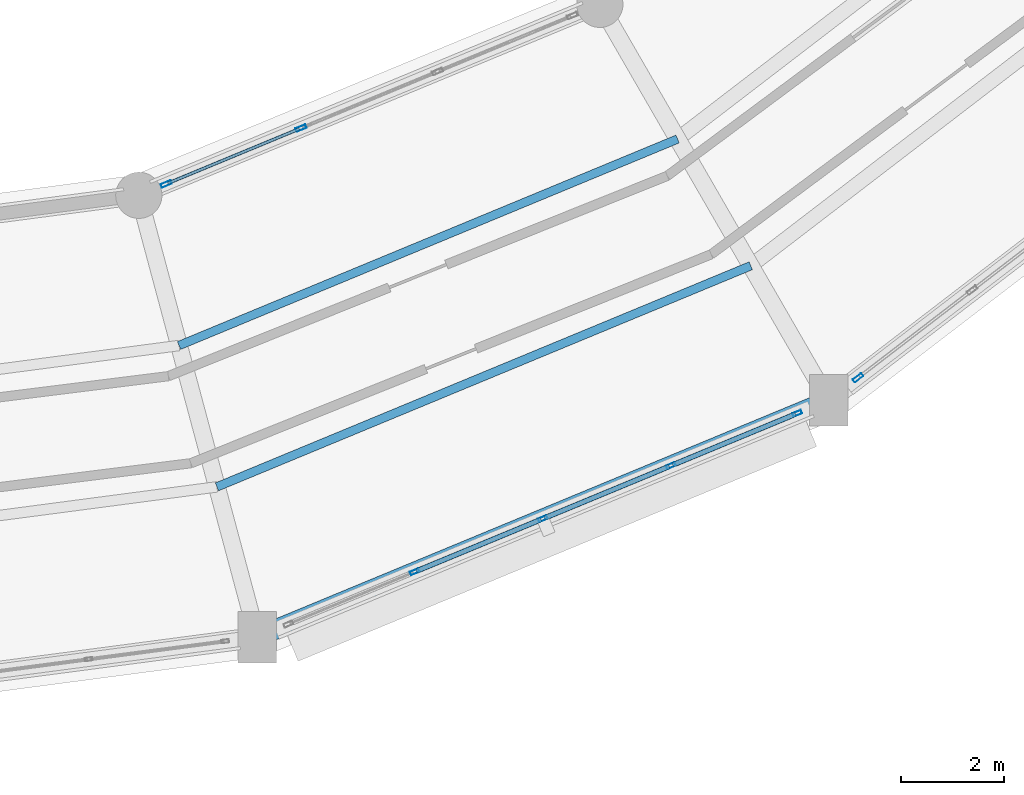
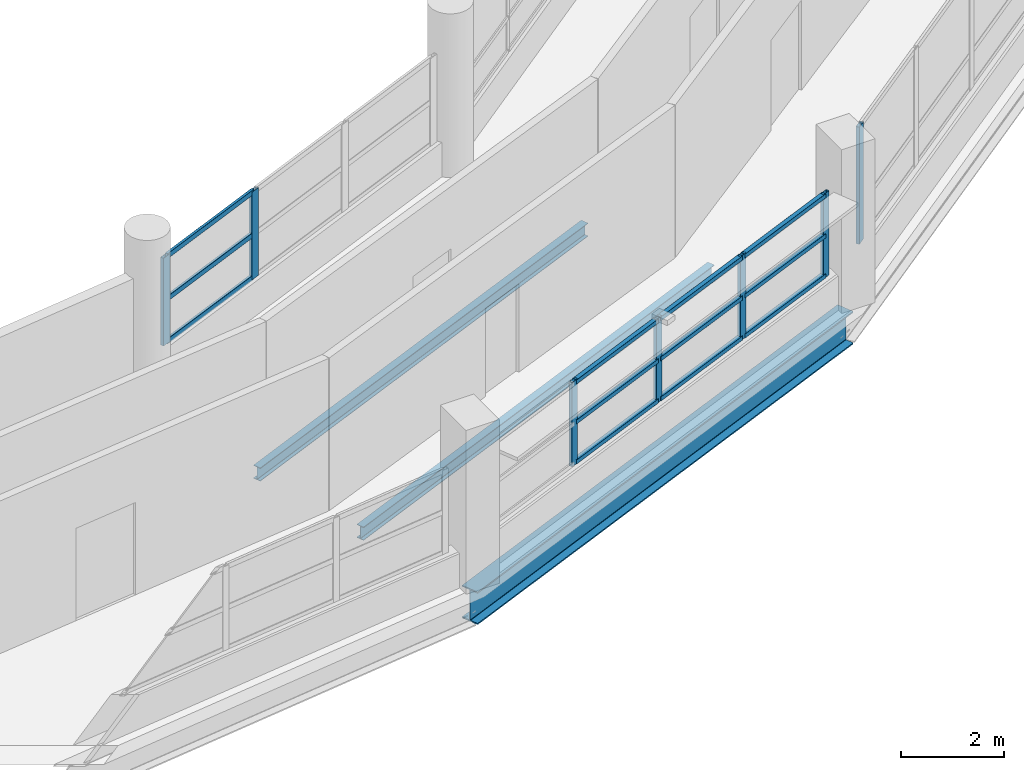
# One storey, part 25 of 88: 19 members, 3 beams, 3 elements without a shape of their own.
"""IFC4 building model written with IfcOpenShell, lengths in metres."""

from ifc_helpers import new_model, si_unit, direction, frame, origin, origin_2d, place, context, subcontext, project, spatial, hollow_rectangle, i_section, extrude, material, layer, layer_set, material_profile, profile_set, type_object, element, aggregate, save


model = new_model("IFC4")

# Units and contexts
model_context = context("Model", 3, precision=1e-05, world=origin(), true_north=direction((0.0, 1.0)))
body_context = subcontext(model_context, "Body", "Model", "MODEL_VIEW")
ifc_project = project(units=[si_unit("LENGTHUNIT", "METRE"), si_unit("AREAUNIT", "SQUARE_METRE"), si_unit("VOLUMEUNIT", "CUBIC_METRE"), si_unit("PLANEANGLEUNIT", "RADIAN"), si_unit("MASSUNIT", "GRAM", prefix="KILO")], contexts=[model_context])

# Site, building, storey
site_placement = place(None, origin())
site = spatial("IfcSite", under=ifc_project, at=site_placement, CompositionType="ELEMENT")
building_placement = place(site_placement, origin())
building = spatial("IfcBuilding", under=site, at=building_placement, Name="Vespera Passage Community Centre", CompositionType="ELEMENT")
storey_placement = place(building_placement, frame((0.0, 0.0, 16.5)))
storey = spatial("IfcBuildingStorey", under=building, at=storey_placement, Name="L04", CompositionType="ELEMENT", Elevation=16.5)

# Beams
ifc_material_1 = material(Name="Steel ASTM A992 Grade 50", Category="steel")
ifc_material_profile_1 = material_profile(ifc_material_1, i_section(OverallWidth=0.16650390625, OverallDepth=0.3173828125, WebThickness=0.007568359375, FlangeThickness=0.01318359375, FilletRadius=0.007568359375, at=origin_2d()), Name="W12X35")
ifc_profile_set_1 = profile_set([ifc_material_profile_1], Name="Steel ASTM A992 Grade 50")
beam_type_1 = type_object("IfcBeamType", Name="BM-J-W12X35", PredefinedType="JOIST", material=ifc_profile_set_1)
beam_1_placement = place(storey_placement, frame((88.411376953125, 26.644775390625, -0.458740234375), z_axis=(0.92387968492, 0.382683064417, 0.0), x_axis=(-0.382683064417, 0.92387968492, 0.0)))
element("IfcBeam", 1, at=beam_1_placement, inside=storey, type_object=beam_type_1, Name="V4 L04 Floor Joist 19.1", PredefinedType="JOIST", context=body_context, shape_type="SweptSolid", body=[
    extrude(i_section(OverallWidth=0.16650390625, OverallDepth=0.3173828125, WebThickness=0.007568359375, FlangeThickness=0.01318359375, FilletRadius=0.007568359375, at=origin_2d()), origin(), (0.0, 0.0, 1.0), 10.5009765625),
])
beam_2_placement = place(storey_placement, frame((89.1484375, 23.893798828125, -0.458740234375), z_axis=(0.923884257257, 0.38267202562, 0.0), x_axis=(-0.38267202562, 0.923884257257, 0.0)))
element("IfcBeam", 2, at=beam_2_placement, inside=storey, type_object=beam_type_1, Name="V4 L04 Floor Joist 19.2", PredefinedType="JOIST", context=body_context, shape_type="SweptSolid", body=[
    extrude(i_section(OverallWidth=0.16650390625, OverallDepth=0.3173828125, WebThickness=0.007568359375, FlangeThickness=0.01318359375, FilletRadius=0.007568359375, at=origin_2d()), origin(), (0.0, 0.0, 1.0), 11.24462890625),
])
ifc_material_2 = material(Name="Steel ASTM A992 Grade 50", Category="steel")
ifc_material_profile_2 = material_profile(ifc_material_2, i_section(OverallWidth=0.382080078125, OverallDepth=0.779296875, WebThickness=0.01806640625, FlangeThickness=0.030029296875, FilletRadius=0.0166015625, at=origin_2d()), Name="W30X191")
ifc_profile_set_2 = profile_set([ifc_material_profile_2], Name="Steel ASTM A992 Grade 50")
beam_type_2 = type_object("IfcBeamType", Name="BM-SP-W30X191E", PredefinedType="SPANDREL", material=ifc_profile_set_2)
beam_3_placement = place(storey_placement, frame((89.931640625, 20.970703125, -0.689697265625), z_axis=(0.923877379647, 0.382688629799, 0.0), x_axis=(-0.382688629799, 0.923877379647, 0.0)))
element("IfcBeam", 3, at=beam_3_placement, inside=storey, type_object=beam_type_2, Name="V4 L04 Outer Spandrel 19", PredefinedType="SPANDREL", context=body_context, shape_type="SweptSolid", body=[
    extrude(i_section(OverallWidth=0.382080078125, OverallDepth=0.779296875, WebThickness=0.01806640625, FlangeThickness=0.030029296875, FilletRadius=0.0166015625, at=origin_2d()), origin(), (0.0, 0.0, 1.0), 12.034423828125),
])

# Curtain wall, members
ifc_material_3 = material(Name="Anodized aluminium 6063-T6", Category="aluminium")
ifc_layer_1 = layer(ifc_material_3, 0.159912109375)
ifc_layer_set_1 = layer_set([ifc_layer_1], Name="Anodized aluminium 6063-T6")
curtain_wall_type_1 = type_object("IfcCurtainWallType", Name="CW-55E", PredefinedType="NOTDEFINED", material=ifc_layer_set_1)
curtain_wall_1_placement = place(storey_placement, origin())
curtain_wall_1 = element("IfcCurtainWall", 4, at=curtain_wall_1_placement, inside=storey, type_object=curtain_wall_type_1, Name="V4 L04 Outer Ribbon Curtain Wall 19", PredefinedType="NOTDEFINED")
ifc_material_4 = material(Name="Anodized aluminium 6063-T6", Category="aluminium")
ifc_material_profile_3 = material_profile(ifc_material_4, hollow_rectangle(XDim=0.074951171875, YDim=0.179931640625, WallThickness=0.0048828125, InnerFilletRadius=0.00244140625, OuterFilletRadius=0.0048828125, at=origin_2d()), Name="ALU180X75X5")
ifc_profile_set_3 = profile_set([ifc_material_profile_3], Name="Anodized aluminium 6063-T6")
member_type_1 = type_object("IfcMemberType", Name="MB-CWM-180E", PredefinedType="MULLION", material=ifc_profile_set_3)
member_1_placement = place(storey_placement, frame((100.441650390625, 25.32421875, 0.820068359375), z_axis=(0.0, 0.0, 1.0), x_axis=(0.382682936255, -0.923879738007, 0.0)))
member_1 = element("IfcMember", 5, at=member_1_placement, type_object=member_type_1, Name="CW-55E mullion 1", PredefinedType="MULLION", context=body_context, shape_type="SweptSolid", body=[
    extrude(hollow_rectangle(XDim=0.074951171875, YDim=0.179931640625, WallThickness=0.0048828125, InnerFilletRadius=0.00244140625, OuterFilletRadius=0.0048828125, at=origin_2d()), origin(), (0.0, 0.0, 1.0), 2.005615234375),
])
member_2_placement = place(storey_placement, frame((97.983642578125, 24.30615234375, 0.820068359375), z_axis=(0.0, 0.0, 1.0), x_axis=(0.382682936255, -0.923879738007, 0.0)))
member_2 = element("IfcMember", 6, at=member_2_placement, type_object=member_type_1, Name="CW-55E mullion 2", PredefinedType="MULLION", context=body_context, shape_type="SweptSolid", body=[
    extrude(hollow_rectangle(XDim=0.074951171875, YDim=0.179931640625, WallThickness=0.0048828125, InnerFilletRadius=0.00244140625, OuterFilletRadius=0.0048828125, at=origin_2d()), origin(), (0.0, 0.0, 1.0), 2.005615234375),
])
member_3_placement = place(storey_placement, frame((95.49072265625, 23.2734375, 0.820068359375), z_axis=(0.0, 0.0, 1.0), x_axis=(0.382682936255, -0.923879738007, 0.0)))
member_3 = element("IfcMember", 7, at=member_3_placement, type_object=member_type_1, Name="CW-55E mullion 3", PredefinedType="MULLION", context=body_context, shape_type="SweptSolid", body=[
    extrude(hollow_rectangle(XDim=0.074951171875, YDim=0.179931640625, WallThickness=0.0048828125, InnerFilletRadius=0.00244140625, OuterFilletRadius=0.0048828125, at=origin_2d()), origin(), (0.0, 0.0, 1.0), 2.005615234375),
])
member_4_placement = place(storey_placement, frame((92.998046875, 22.240966796875, 0.820068359375), z_axis=(0.0, 0.0, 1.0), x_axis=(0.382682936255, -0.923879738007, 0.0)))
member_4 = element("IfcMember", 8, at=member_4_placement, type_object=member_type_1, Name="CW-55E mullion 4", PredefinedType="MULLION", context=body_context, shape_type="SweptSolid", body=[
    extrude(hollow_rectangle(XDim=0.074951171875, YDim=0.179931640625, WallThickness=0.0048828125, InnerFilletRadius=0.00244140625, OuterFilletRadius=0.0048828125, at=origin_2d()), origin(), (0.0, 0.0, 1.0), 2.005615234375),
])

ifc_material_5 = material(Name="Anodized aluminium 6063-T6", Category="aluminium")
ifc_layer_2 = layer(ifc_material_5, 0.159912109375)
ifc_layer_set_2 = layer_set([ifc_layer_2], Name="Anodized aluminium 6063-T6")
curtain_wall_type_2 = type_object("IfcCurtainWallType", Name="CW-56E", PredefinedType="NOTDEFINED", material=ifc_layer_set_2)
curtain_wall_2_placement = place(storey_placement, origin())
curtain_wall_2 = element("IfcCurtainWall", 9, at=curtain_wall_2_placement, inside=storey, type_object=curtain_wall_type_2, Name="V4 L04 Inner Court Curtain Wall 19", PredefinedType="NOTDEFINED")
ifc_material_6 = material(Name="Anodized aluminium 6063-T6", Category="aluminium")
ifc_material_profile_4 = material_profile(ifc_material_6, hollow_rectangle(XDim=0.074951171875, YDim=0.2099609375, WallThickness=0.0048828125, InnerFilletRadius=0.00244140625, OuterFilletRadius=0.0048828125, at=origin_2d()), Name="ALU210X75X5")
ifc_profile_set_4 = profile_set([ifc_material_profile_4], Name="Anodized aluminium 6063-T6")
member_type_2 = type_object("IfcMemberType", Name="MB-CWM-210E", PredefinedType="MULLION", material=ifc_profile_set_4)
member_5_placement = place(storey_placement, frame((88.161376953125, 29.788330078125, 0.820068359375), z_axis=(0.0, 0.0, 1.0), x_axis=(-0.382690463482, 0.923876620096, 0.0)))
member_5 = element("IfcMember", 10, at=member_5_placement, type_object=member_type_2, Name="CW-56E mullion 1", PredefinedType="MULLION", context=body_context, shape_type="SweptSolid", body=[
    extrude(hollow_rectangle(XDim=0.074951171875, YDim=0.2099609375, WallThickness=0.0048828125, InnerFilletRadius=0.00244140625, OuterFilletRadius=0.0048828125, at=origin_2d()), origin(), (0.0, 0.0, 1.0), 2.08935546875),
])
member_6_placement = place(storey_placement, frame((90.784912109375, 30.875244140625, 0.820068359375), z_axis=(0.0, 0.0, 1.0), x_axis=(-0.382690463482, 0.923876620096, 0.0)))
member_6 = element("IfcMember", 11, at=member_6_placement, type_object=member_type_2, Name="CW-56E mullion 2", PredefinedType="MULLION", context=body_context, shape_type="SweptSolid", body=[
    extrude(hollow_rectangle(XDim=0.074951171875, YDim=0.2099609375, WallThickness=0.0048828125, InnerFilletRadius=0.00244140625, OuterFilletRadius=0.0048828125, at=origin_2d()), origin(), (0.0, 0.0, 1.0), 2.08935546875),
])

# Curtain wall, member
ifc_material_7 = material(Name="Anodized aluminium 6063-T6", Category="aluminium")
ifc_layer_3 = layer(ifc_material_7, 0.159912109375)
ifc_layer_set_3 = layer_set([ifc_layer_3], Name="Anodized aluminium 6063-T6")
curtain_wall_type_3 = type_object("IfcCurtainWallType", Name="CW-67E", PredefinedType="NOTDEFINED", material=ifc_layer_set_3)
curtain_wall_3_placement = place(storey_placement, origin())
curtain_wall_3 = element("IfcCurtainWall", 12, at=curtain_wall_3_placement, inside=storey, type_object=curtain_wall_type_3, Name="V4 L04 Outer Ribbon Curtain Wall 20", PredefinedType="NOTDEFINED")
member_7_placement = place(storey_placement, frame((101.625244140625, 26.017578125, 0.820068359375), z_axis=(0.0, 0.0, 1.0), x_axis=(0.608768221519, -0.793348128169, 0.0)))
member_7 = element("IfcMember", 13, at=member_7_placement, type_object=member_type_2, Name="CW-67E mullion 5", PredefinedType="MULLION", context=body_context, shape_type="SweptSolid", body=[
    extrude(hollow_rectangle(XDim=0.074951171875, YDim=0.2099609375, WallThickness=0.0048828125, InnerFilletRadius=0.00244140625, OuterFilletRadius=0.0048828125, at=origin_2d()), origin(), (0.0, 0.0, 1.0), 2.7900390625),
])
aggregate(curtain_wall_3, [member_7])

# Member
ifc_material_8 = material(Name="Anodized aluminium 6063-T6", Category="aluminium")
ifc_material_profile_5 = material_profile(ifc_material_8, hollow_rectangle(XDim=0.10009765625, YDim=0.10009765625, WallThickness=0.00390625, InnerFilletRadius=0.001953125, OuterFilletRadius=0.00390625, at=origin_2d()), Name="ALU100X100X4")
ifc_profile_set_5 = profile_set([ifc_material_profile_5], Name="Anodized aluminium 6063-T6")
member_type_3 = type_object("IfcMemberType", Name="MB-CWT-100E", PredefinedType="USERDEFINED", material=ifc_profile_set_5)
member_8_placement = place(storey_placement, frame((100.4072265625, 25.309814453125, 0.8701171875), z_axis=(-0.923882193286, -0.382677008624, 0.0), x_axis=(0.382677008624, -0.923882193286, 0.0)))
member_8 = element("IfcMember", 14, at=member_8_placement, type_object=member_type_3, Name="CW-55E transom 1.1", ObjectType="TRANSOM", PredefinedType="USERDEFINED", context=body_context, shape_type="SweptSolid", body=[
    extrude(hollow_rectangle(XDim=0.10009765625, YDim=0.10009765625, WallThickness=0.00390625, InnerFilletRadius=0.001953125, OuterFilletRadius=0.00390625, at=origin_2d()), origin(), (0.0, 0.0, 1.0), 2.585693359375),
])

member_9_placement = place(storey_placement, frame((100.4072265625, 25.309814453125, 1.82275390625), z_axis=(-0.923882193286, -0.382677008624, 0.0), x_axis=(0.382677008624, -0.923882193286, 0.0)))
member_9 = element("IfcMember", 15, at=member_9_placement, type_object=member_type_3, Name="CW-55E transom 1.2", ObjectType="TRANSOM", PredefinedType="USERDEFINED", context=body_context, shape_type="SweptSolid", body=[
    extrude(hollow_rectangle(XDim=0.10009765625, YDim=0.10009765625, WallThickness=0.00390625, InnerFilletRadius=0.001953125, OuterFilletRadius=0.00390625, at=origin_2d()), origin(), (0.0, 0.0, 1.0), 2.585693359375),
])

member_10_placement = place(storey_placement, frame((100.4072265625, 25.309814453125, 2.775634765625), z_axis=(-0.923882193286, -0.382677008624, 0.0), x_axis=(0.382677008624, -0.923882193286, 0.0)))
member_10 = element("IfcMember", 16, at=member_10_placement, type_object=member_type_3, Name="CW-55E transom 1.3", ObjectType="TRANSOM", PredefinedType="USERDEFINED", context=body_context, shape_type="SweptSolid", body=[
    extrude(hollow_rectangle(XDim=0.10009765625, YDim=0.10009765625, WallThickness=0.00390625, InnerFilletRadius=0.001953125, OuterFilletRadius=0.00390625, at=origin_2d()), origin(), (0.0, 0.0, 1.0), 2.585693359375),
])

member_11_placement = place(storey_placement, frame((97.948974609375, 24.291748046875, 0.8701171875), z_axis=(-0.92387617736, -0.382691532316, 0.0), x_axis=(0.382691532316, -0.92387617736, 0.0)))
member_11 = element("IfcMember", 17, at=member_11_placement, type_object=member_type_3, Name="CW-55E transom 2.1", ObjectType="TRANSOM", PredefinedType="USERDEFINED", context=body_context, shape_type="SweptSolid", body=[
    extrude(hollow_rectangle(XDim=0.10009765625, YDim=0.10009765625, WallThickness=0.00390625, InnerFilletRadius=0.001953125, OuterFilletRadius=0.00390625, at=origin_2d()), origin(), (0.0, 0.0, 1.0), 2.623291015625),
])

member_12_placement = place(storey_placement, frame((97.948974609375, 24.291748046875, 1.82275390625), z_axis=(-0.92387617736, -0.382691532316, 0.0), x_axis=(0.382691532316, -0.92387617736, 0.0)))
member_12 = element("IfcMember", 18, at=member_12_placement, type_object=member_type_3, Name="CW-55E transom 2.2", ObjectType="TRANSOM", PredefinedType="USERDEFINED", context=body_context, shape_type="SweptSolid", body=[
    extrude(hollow_rectangle(XDim=0.10009765625, YDim=0.10009765625, WallThickness=0.00390625, InnerFilletRadius=0.001953125, OuterFilletRadius=0.00390625, at=origin_2d()), origin(), (0.0, 0.0, 1.0), 2.623291015625),
])

member_13_placement = place(storey_placement, frame((97.948974609375, 24.291748046875, 2.775634765625), z_axis=(-0.92387617736, -0.382691532316, 0.0), x_axis=(0.382691532316, -0.92387617736, 0.0)))
member_13 = element("IfcMember", 19, at=member_13_placement, type_object=member_type_3, Name="CW-55E transom 2.3", ObjectType="TRANSOM", PredefinedType="USERDEFINED", context=body_context, shape_type="SweptSolid", body=[
    extrude(hollow_rectangle(XDim=0.10009765625, YDim=0.10009765625, WallThickness=0.00390625, InnerFilletRadius=0.001953125, OuterFilletRadius=0.00390625, at=origin_2d()), origin(), (0.0, 0.0, 1.0), 2.623291015625),
])

member_14_placement = place(storey_placement, frame((95.4560546875, 23.259033203125, 0.8701171875), z_axis=(-0.92389545334, -0.382644993822, 0.0), x_axis=(0.382644993822, -0.92389545334, 0.0)))
member_14 = element("IfcMember", 20, at=member_14_placement, type_object=member_type_3, Name="CW-55E transom 3.1", ObjectType="TRANSOM", PredefinedType="USERDEFINED", context=body_context, shape_type="SweptSolid", body=[
    extrude(hollow_rectangle(XDim=0.10009765625, YDim=0.10009765625, WallThickness=0.00390625, InnerFilletRadius=0.001953125, OuterFilletRadius=0.00390625, at=origin_2d()), origin(), (0.0, 0.0, 1.0), 2.623046875),
])

member_15_placement = place(storey_placement, frame((95.4560546875, 23.259033203125, 1.82275390625), z_axis=(-0.92389545334, -0.382644993822, 0.0), x_axis=(0.382644993822, -0.92389545334, 0.0)))
member_15 = element("IfcMember", 21, at=member_15_placement, type_object=member_type_3, Name="CW-55E transom 3.2", ObjectType="TRANSOM", PredefinedType="USERDEFINED", context=body_context, shape_type="SweptSolid", body=[
    extrude(hollow_rectangle(XDim=0.10009765625, YDim=0.10009765625, WallThickness=0.00390625, InnerFilletRadius=0.001953125, OuterFilletRadius=0.00390625, at=origin_2d()), origin(), (0.0, 0.0, 1.0), 2.623046875),
])

member_16_placement = place(storey_placement, frame((95.4560546875, 23.259033203125, 2.775634765625), z_axis=(-0.92389545334, -0.382644993822, 0.0), x_axis=(0.382644993822, -0.92389545334, 0.0)))
member_16 = element("IfcMember", 22, at=member_16_placement, type_object=member_type_3, Name="CW-55E transom 3.3", ObjectType="TRANSOM", PredefinedType="USERDEFINED", context=body_context, shape_type="SweptSolid", body=[
    extrude(hollow_rectangle(XDim=0.10009765625, YDim=0.10009765625, WallThickness=0.00390625, InnerFilletRadius=0.001953125, OuterFilletRadius=0.00390625, at=origin_2d()), origin(), (0.0, 0.0, 1.0), 2.623046875),
])

aggregate(curtain_wall_1, [member_1, member_2, member_3, member_4, member_8, member_9, member_10, member_11, member_12, member_13, member_14, member_15, member_16])

ifc_material_9 = material(Name="Anodized aluminium 6063-T6", Category="aluminium")
ifc_material_profile_6 = material_profile(ifc_material_9, hollow_rectangle(XDim=0.06005859375, YDim=0.1201171875, WallThickness=0.00390625, InnerFilletRadius=0.001953125, OuterFilletRadius=0.00390625, at=origin_2d()), Name="ALU120X60X4")
ifc_profile_set_6 = profile_set([ifc_material_profile_6], Name="Anodized aluminium 6063-T6")
member_type_4 = type_object("IfcMemberType", Name="MB-CWT-120E", PredefinedType="USERDEFINED", material=ifc_profile_set_6)
member_17_placement = place(storey_placement, frame((88.196044921875, 29.802734375, 0.85009765625), z_axis=(0.923863992677, 0.382720946689, 0.0), x_axis=(-0.382720946689, 0.923863992677, 0.0)))
member_17 = element("IfcMember", 23, at=member_17_placement, type_object=member_type_4, Name="CW-56E transom 1.1", ObjectType="TRANSOM", PredefinedType="USERDEFINED", context=body_context, shape_type="SweptSolid", body=[
    extrude(hollow_rectangle(XDim=0.06005859375, YDim=0.1201171875, WallThickness=0.00390625, InnerFilletRadius=0.001953125, OuterFilletRadius=0.00390625, at=origin_2d()), origin(), (0.0, 0.0, 1.0), 2.7646484375),
])

member_18_placement = place(storey_placement, frame((88.196044921875, 29.802734375, 1.86474609375), z_axis=(0.923863992677, 0.382720946689, 0.0), x_axis=(-0.382720946689, 0.923863992677, 0.0)))
member_18 = element("IfcMember", 24, at=member_18_placement, type_object=member_type_4, Name="CW-56E transom 1.2", ObjectType="TRANSOM", PredefinedType="USERDEFINED", context=body_context, shape_type="SweptSolid", body=[
    extrude(hollow_rectangle(XDim=0.06005859375, YDim=0.1201171875, WallThickness=0.00390625, InnerFilletRadius=0.001953125, OuterFilletRadius=0.00390625, at=origin_2d()), origin(), (0.0, 0.0, 1.0), 2.7646484375),
])

member_19_placement = place(storey_placement, frame((88.196044921875, 29.802734375, 2.87939453125), z_axis=(0.923863992677, 0.382720946689, 0.0), x_axis=(-0.382720946689, 0.923863992677, 0.0)))
member_19 = element("IfcMember", 25, at=member_19_placement, type_object=member_type_4, Name="CW-56E transom 1.3", ObjectType="TRANSOM", PredefinedType="USERDEFINED", context=body_context, shape_type="SweptSolid", body=[
    extrude(hollow_rectangle(XDim=0.06005859375, YDim=0.1201171875, WallThickness=0.00390625, InnerFilletRadius=0.001953125, OuterFilletRadius=0.00390625, at=origin_2d()), origin(), (0.0, 0.0, 1.0), 2.7646484375),
])

aggregate(curtain_wall_2, [member_5, member_6, member_17, member_18, member_19])

save(model, "model.ifc")
